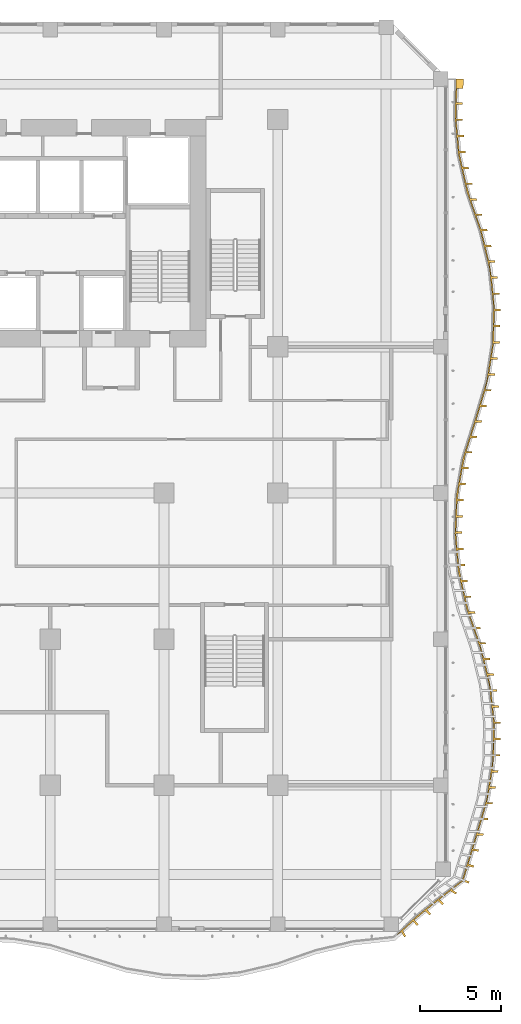
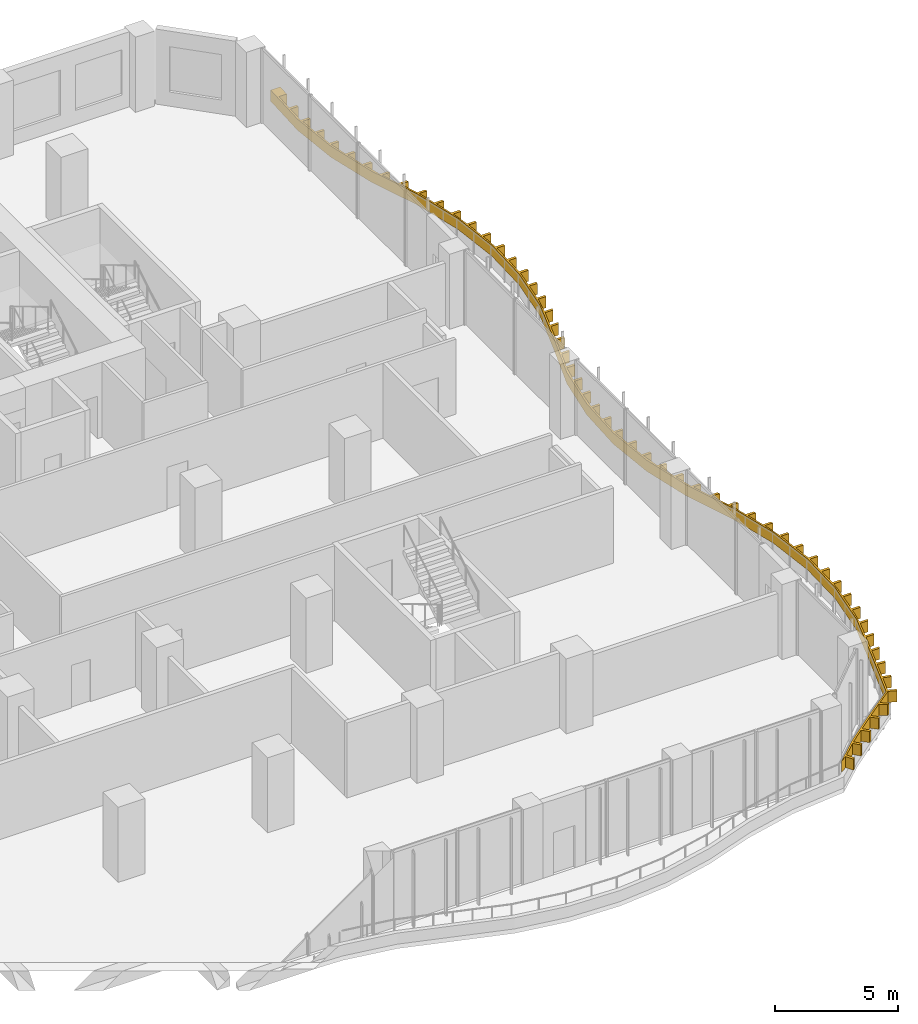
# One storey, part 24 of 27: 1 shading device.
"""IFC4 building model written with IfcOpenShell, lengths in metres."""

from ifc_helpers import new_model, si_unit, direction, frame, origin, place, context, subcontext, project, spatial, polyline, outline, extrude, source, transform, mapped, material, layer, layer_set, type_object, element, save


model = new_model("IFC4")

# Units and contexts
model_context = context("Model", 3, precision=1e-05, world=origin(), true_north=direction((0.0, 1.0)))
body_context = subcontext(model_context, "Body", "Model", "MODEL_VIEW")
ifc_project = project(units=[si_unit("LENGTHUNIT", "METRE"), si_unit("AREAUNIT", "SQUARE_METRE"), si_unit("VOLUMEUNIT", "CUBIC_METRE"), si_unit("PLANEANGLEUNIT", "RADIAN"), si_unit("MASSUNIT", "GRAM", prefix="KILO")], contexts=[model_context])

# Site, building, storey
site_placement = place(None, origin())
site = spatial("IfcSite", under=ifc_project, at=site_placement, CompositionType="ELEMENT")
building_placement = place(site_placement, origin())
building = spatial("IfcBuilding", under=site, at=building_placement, Name="Kilnfold Tower and Market Hall", CompositionType="ELEMENT")
storey_placement = place(building_placement, frame((0.0, 0.0, 71.199951171875)))
storey = spatial("IfcBuildingStorey", under=building, at=storey_placement, Name="L16", CompositionType="ELEMENT", Elevation=71.199951171875)

# Shading device
ifc_material = material(Name="Bronze anodised aluminium", Category="aluminium")
ifc_layer = layer(ifc_material, 0.550048828125)
ifc_layer_set = layer_set([ifc_layer], Name="Bronze anodised aluminium")
shading_device_type = type_object("IfcShadingDeviceType", Name="BRONZE SLAT FASCIA 550", PredefinedType="USERDEFINED", material=ifc_layer_set)
shared_shape = source(origin(), body_context, "Body", "SweptSolid", [
    extrude(outline(polyline([(30.305419921875, -28.3583984375), (30.123779296875, -28.041015625), (29.79638671875, -28.248291015625), (30.969970703125, -27.136474609375), (32.257568359375, -26.0908203125), (33.858154296875, -24.85546875), (34.680419921875, -22.166748046875), (35.371337890625, -19.833251953125), (35.732177734375, -17.5), (35.782958984375, -15.166748046875), (35.52685546875, -12.833251953125), (34.949462890625, -10.5), (34.141357421875, -8.166748046875), (33.6142578125, -5.833251953125), (33.405029296875, -3.5), (33.50244140625, -1.166748046875), (33.91162109375, 1.166748046875), (34.654052734375, 3.5), (35.355224609375, 5.833251953125), (35.725830078125, 8.166748046875), (35.785888671875, 10.5), (35.539306640625, 12.833251953125), (34.971923828125, 15.166748046875), (34.16259765625, 17.5), (33.62548828125, 19.833251953125), (33.406982421875, 22.166748046875), (33.494873046875, 24.5), (33.94482421875, 24.5), (33.92333984375, 23.92626953125), (33.55322265625, 23.92626953125), (33.52001953125, 23.046875), (33.89013671875, 23.046875), (33.885498046875, 22.927001953125), (33.515625, 22.927001953125), (33.498046875, 22.048095703125), (33.867919921875, 22.048095703125), (33.879150390625, 21.9287109375), (33.50927734375, 21.9287109375), (33.59130859375, 21.052490234375), (33.961181640625, 21.052490234375), (33.972412109375, 20.932861328125), (33.6025390625, 20.932861328125), (33.6845703125, 20.056884765625), (34.0546875, 20.056884765625), (34.06591796875, 19.937255859375), (33.69580078125, 19.937255859375), (33.87939453125, 19.077392578125), (34.24951171875, 19.077392578125), (34.2763671875, 18.960693359375), (33.906494140625, 18.960693359375), (34.103759765625, 18.10302734375), (34.473876953125, 18.10302734375), (34.500732421875, 17.986083984375), (34.130615234375, 17.986083984375), (34.367431640625, 17.139892578125), (34.737548828125, 17.139892578125), (34.77685546875, 17.026611328125), (34.40673828125, 17.026611328125), (34.6953125, 16.195068359375), (35.065185546875, 16.195068359375), (35.1044921875, 16.081787109375), (34.734619140625, 16.081787109375), (35.02294921875, 15.250244140625), (35.392822265625, 15.250244140625), (35.421875, 15.166748046875), (35.429443359375, 15.135986328125), (35.059326171875, 15.135986328125), (35.26708984375, 14.281005859375), (35.63720703125, 14.281005859375), (35.66552734375, 14.164306640625), (35.295654296875, 14.164306640625), (35.50341796875, 13.309326171875), (35.87353515625, 13.309326171875), (35.90185546875, 13.192626953125), (35.53173828125, 13.192626953125), (35.6728515625, 12.325927734375), (36.04296875, 12.325927734375), (36.055419921875, 12.20654296875), (35.685546875, 12.20654296875), (35.778076171875, 11.33154296875), (36.148193359375, 11.33154296875), (36.16064453125, 11.212158203125), (35.790771484375, 11.212158203125), (35.86181640625, 10.336181640625), (36.231689453125, 10.336181640625), (36.228759765625, 10.21630859375), (35.858642578125, 10.21630859375), (35.8359375, 9.33642578125), (36.2060546875, 9.33642578125), (36.202880859375, 9.216552734375), (35.8330078125, 9.216552734375), (35.810302734375, 8.3369140625), (36.18017578125, 8.3369140625), (36.177001953125, 8.216796875), (35.80712890625, 8.216796875), (35.67578125, 7.34716796875), (36.045654296875, 7.34716796875), (36.02685546875, 7.228759765625), (35.656982421875, 7.228759765625), (35.518798828125, 6.359619140625), (35.888916015625, 6.359619140625), (35.8701171875, 6.240966796875), (35.5, 6.240966796875), (35.30078125, 5.385986328125), (35.6708984375, 5.385986328125), (35.63623046875, 5.27099609375), (35.266357421875, 5.27099609375), (35.012939453125, 4.42822265625), (35.383056640625, 4.42822265625), (35.348388671875, 4.313232421875), (34.978515625, 4.313232421875), (34.724609375, 3.470703125), (35.0947265625, 3.470703125), (35.058349609375, 3.3564453125), (34.688232421875, 3.3564453125), (34.42138671875, 2.517822265625), (34.79150390625, 2.517822265625), (34.755126953125, 2.4033203125), (34.385009765625, 2.4033203125), (34.1181640625, 1.56494140625), (34.48828125, 1.56494140625), (34.451904296875, 1.450439453125), (34.081787109375, 1.450439453125), (33.89111328125, 0.59326171875), (34.260986328125, 0.59326171875), (34.240234375, 0.47509765625), (33.8701171875, 0.47509765625), (33.71826171875, -0.3916015625), (34.08837890625, -0.3916015625), (34.067626953125, -0.510009765625), (33.697509765625, -0.510009765625), (33.573486328125, -1.379638671875), (33.943603515625, -1.379638671875), (33.9384765625, -1.49951171875), (33.568603515625, -1.49951171875), (33.53173828125, -2.37890625), (33.90185546875, -2.37890625), (33.896728515625, -2.498779296875), (33.52685546875, -2.498779296875), (33.489990234375, -3.3779296875), (33.860107421875, -3.3779296875), (33.85498046875, -3.497802734375), (33.485107421875, -3.497802734375), (33.5634765625, -4.374267578125), (33.933349609375, -4.374267578125), (33.944091796875, -4.493896484375), (33.57421875, -4.493896484375), (33.65283203125, -5.370361328125), (34.022705078125, -5.370361328125), (34.033447265625, -5.48974609375), (33.66357421875, -5.48974609375), (33.812255859375, -6.355224609375), (34.18212890625, -6.355224609375), (34.20849609375, -6.472412109375), (33.838623046875, -6.472412109375), (34.032470703125, -7.330810546875), (34.402587890625, -7.330810546875), (34.428955078125, -7.44775390625), (34.058837890625, -7.44775390625), (34.26806640625, -8.3017578125), (34.63818359375, -8.3017578125), (34.677490234375, -8.415283203125), (34.307373046875, -8.415283203125), (34.595458984375, -9.24658203125), (34.96533203125, -9.24658203125), (35.004638671875, -9.360107421875), (34.634521484375, -9.360107421875), (34.922607421875, -10.191650390625), (35.29248046875, -10.191650390625), (35.331787109375, -10.30517578125), (34.9619140625, -10.30517578125), (35.191162109375, -11.154052734375), (35.561279296875, -11.154052734375), (35.590087890625, -11.2705078125), (35.22021484375, -11.2705078125), (35.431396484375, -12.124755859375), (35.801513671875, -12.124755859375), (35.830322265625, -12.2412109375), (35.460205078125, -12.2412109375), (35.63623046875, -13.101806640625), (36.00634765625, -13.101806640625), (36.019287109375, -13.220947265625), (35.6494140625, -13.220947265625), (35.745361328125, -14.095703125), (36.115478515625, -14.095703125), (36.12841796875, -14.215087890625), (35.758544921875, -14.215087890625), (35.8544921875, -15.08984375), (36.224609375, -15.08984375), (36.23291015625, -15.166748046875), (36.232177734375, -15.209228515625), (35.862060546875, -15.209228515625), (35.843017578125, -16.089111328125), (36.212890625, -16.089111328125), (36.210205078125, -16.208984375), (35.84033203125, -16.208984375), (35.821044921875, -17.0888671875), (36.191162109375, -17.0888671875), (36.1884765625, -17.208740234375), (35.818603515625, -17.208740234375), (35.72216796875, -18.081787109375), (36.092041015625, -18.081787109375), (36.07373046875, -18.200439453125), (35.703857421875, -18.200439453125), (35.5693359375, -19.070068359375), (35.939208984375, -19.070068359375), (35.9208984375, -19.188720703125), (35.551025390625, -19.188720703125), (35.38671875, -20.0517578125), (35.756591796875, -20.0517578125), (35.72265625, -20.166748046875), (35.3525390625, -20.166748046875), (35.102783203125, -21.010498046875), (35.472900390625, -21.010498046875), (35.438720703125, -21.12548828125), (35.068603515625, -21.12548828125), (34.81884765625, -21.969482421875), (35.18896484375, -21.969482421875), (35.15478515625, -22.08447265625), (34.784912109375, -22.08447265625), (34.531005859375, -22.9140625), (34.89501953125, -22.953125), (34.859619140625, -23.072021484375), (34.496337890625, -23.02685546875), (34.243896484375, -23.85498046875), (34.5986328125, -23.943359375), (34.56298828125, -24.06201171875), (34.209716796875, -23.9677734375), (33.958984375, -24.79638671875), (34.30224609375, -24.93359375), (34.27392578125, -25.027587890625), (34.25390625, -25.044189453125), (33.912841796875, -24.90087890625), (33.231689453125, -25.429443359375), (33.541015625, -25.6240234375), (33.443603515625, -25.703125), (33.13916015625, -25.50146484375), (32.461181640625, -26.03173828125), (32.730712890625, -26.282958984375), (32.63330078125, -26.362060546875), (32.368896484375, -26.104248046875), (31.686279296875, -26.6572265625), (31.947998046875, -26.9189453125), (31.854736328125, -26.99462890625), (31.593017578125, -26.73291015625), (30.91943359375, -27.29296875), (31.172119140625, -27.5615234375), (31.0791015625, -27.646728515625), (30.833984375, -27.372802734375), (30.208740234375, -27.96044921875), (30.398193359375, -28.27294921875), (30.305419921875, -28.3583984375)])), origin(), (0.0, 0.0, 1.0), 0.550048828125),
])
shading_device_placement = place(storey_placement, frame((0.0, 0.0, 0.550048828125)))
element("IfcShadingDevice", 1, at=shading_device_placement, inside=storey, type_object=shading_device_type, Name="Balcony slat fascia L16", ObjectType="SLAT", PredefinedType="USERDEFINED", context=body_context, shape_type="MappedRepresentation", body=[
    mapped(shared_shape, transform((0.0, 0.0, 0.0))),
])

save(model, "model.ifc")
